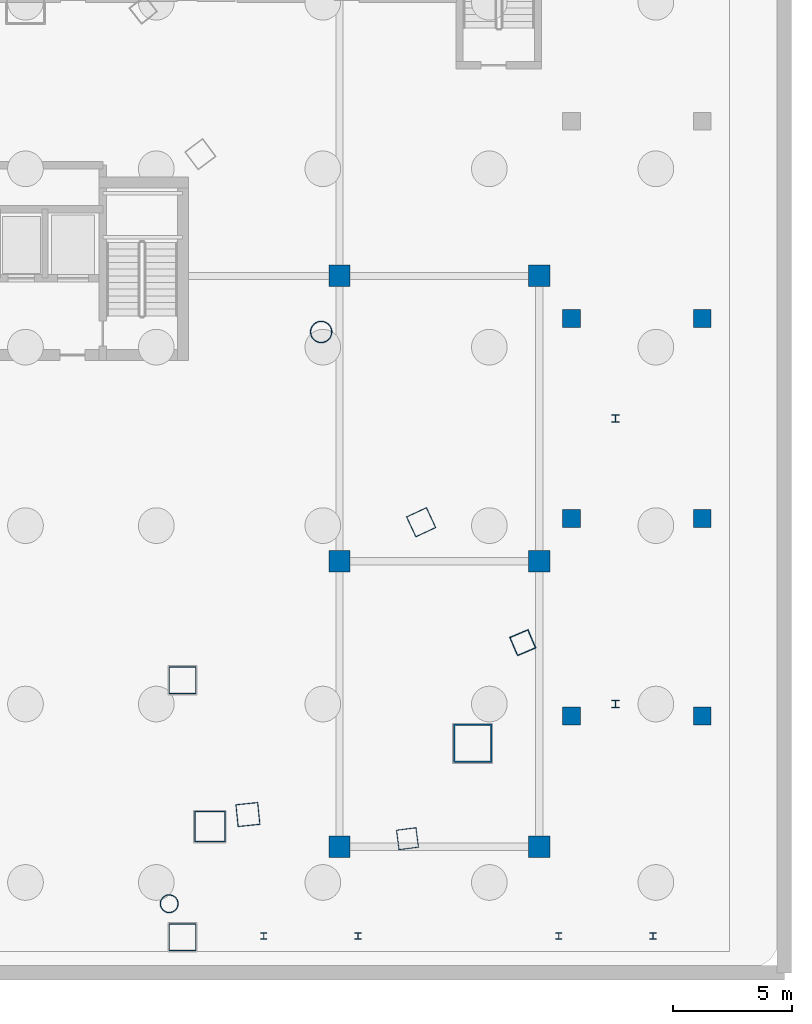
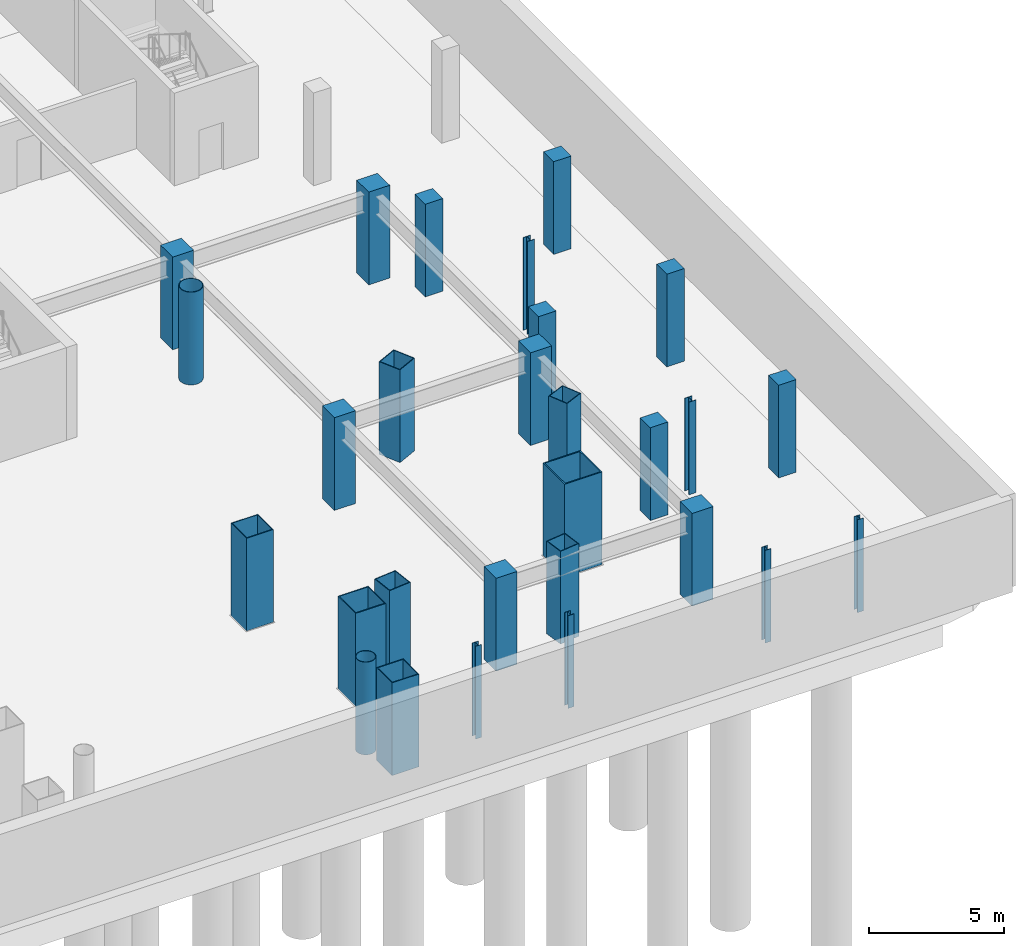
# One storey, part 3 of 12: 28 columns.
"""IFC4 building model written with IfcOpenShell, lengths in metres."""

from ifc_helpers import new_model, si_unit, direction, frame, origin, origin_2d, place, context, subcontext, project, spatial, rectangle, hollow_rectangle, hollow_circle, i_section, extrude, material, material_profile, profile_set, type_object, element, save


model = new_model("IFC4")

# Units and contexts
model_context = context("Model", 3, precision=1e-05, world=origin(), true_north=direction((0.0, 1.0)))
body_context = subcontext(model_context, "Body", "Model", "MODEL_VIEW")
ifc_project = project(units=[si_unit("LENGTHUNIT", "METRE"), si_unit("AREAUNIT", "SQUARE_METRE"), si_unit("VOLUMEUNIT", "CUBIC_METRE"), si_unit("PLANEANGLEUNIT", "RADIAN"), si_unit("MASSUNIT", "GRAM", prefix="KILO")], contexts=[model_context])

# Site, building, storey
site_placement = place(None, origin())
site = spatial("IfcSite", under=ifc_project, at=site_placement, CompositionType="ELEMENT")
building_placement = place(site_placement, origin())
building = spatial("IfcBuilding", under=site, at=building_placement, Name="Orvanel Arch Residences", CompositionType="ELEMENT")
storey_placement = place(building_placement, frame((0.0, 0.0, -8.39990234375)))
storey = spatial("IfcBuildingStorey", under=building, at=storey_placement, Name="B02", CompositionType="ELEMENT", Elevation=-8.39990234375)

# Columns
ifc_material_1 = material(Name="Structural steel AS/NZS 1163 C450L0 (Grade 450)", Category="steel")
ifc_material_profile_1 = material_profile(ifc_material_1, hollow_circle(Radius=0.381103515625, WallThickness=0.02197265625, at=origin_2d()), Name="CHS762x22")
ifc_profile_set_1 = profile_set([ifc_material_profile_1], Name="Structural steel AS/NZS 1163 C450L0 (Grade 450)")
column_type_1 = type_object("IfcColumnType", Name="CC-762", PredefinedType="COLUMN", material=ifc_profile_set_1)
column_1_placement = place(storey_placement, frame((39.0419921875, 3.60498046875, 0.0), z_axis=(0.0, 0.0, 1.0), x_axis=(1.0, 0.0, 0.0)))
element("IfcColumn", 1, at=column_1_placement, inside=storey, type_object=column_type_1, Name="B02 Low-Rise Buttress Tube Column 04", PredefinedType="COLUMN", context=body_context, shape_type="SweptSolid", body=[
    extrude(hollow_circle(Radius=0.381103515625, WallThickness=0.02197265625, at=origin_2d()), origin(), (0.0, 0.0, 1.0), 4.199951171875),
])
ifc_material_profile_2 = material_profile(ifc_material_1, hollow_circle(Radius=0.45703125, WallThickness=0.02490234375, at=origin_2d()), Name="CHS914x25")
ifc_profile_set_2 = profile_set([ifc_material_profile_2], Name="Structural steel AS/NZS 1163 C450L0 (Grade 450)")
column_type_2 = type_object("IfcColumnType", Name="CC-914", PredefinedType="COLUMN", material=ifc_profile_set_2)
column_2_placement = place(storey_placement, frame((45.430908203125, 27.64111328125, 0.0), z_axis=(0.0, 0.0, 1.0), x_axis=(1.0, 0.0, 0.0)))
element("IfcColumn", 2, at=column_2_placement, inside=storey, type_object=column_type_2, Name="B02 High-Rise Tube Column 08", PredefinedType="COLUMN", context=body_context, shape_type="SweptSolid", body=[
    extrude(hollow_circle(Radius=0.45703125, WallThickness=0.02490234375, at=origin_2d()), origin(), (0.0, 0.0, 1.0), 4.199951171875),
])
ifc_material_2 = material(Name="Structural steel AS/NZS 3678 Grade 450", Category="steel")
ifc_material_profile_3 = material_profile(ifc_material_2, hollow_rectangle(XDim=1.14990234375, YDim=1.14990234375, WallThickness=0.035888671875, at=origin_2d()), Name="BOX1150x1150x36")
ifc_profile_set_3 = profile_set([ifc_material_profile_3], Name="Structural steel AS/NZS 3678 Grade 450")
column_type_3 = type_object("IfcColumnType", Name="MC-1150", PredefinedType="COLUMN", material=ifc_profile_set_3)
for number, where, z_axis, x_axis, name in (
    (3, (39.60009765625, 2.199951171875, 0.0), (0.0, 0.0, 1.0), (1.0, 0.0, 0.0), "B02 Arch Portal Pier SOUTH E"),
    (4, (39.60009765625, 13.0, 0.0), (0.0, 0.0, 1.0), (1.0, 0.0, 0.0), "B02 Arch Portal Pier MID E"),
):
    element("IfcColumn", number, at=place(storey_placement, frame(where, z_axis=z_axis, x_axis=x_axis)), inside=storey, type_object=column_type_3, Name=name, PredefinedType="COLUMN", context=body_context, shape_type="SweptSolid", body=[
        extrude(hollow_rectangle(XDim=1.14990234375, YDim=1.14990234375, WallThickness=0.035888671875, at=origin_2d()), origin(), (0.0, 0.0, 1.0), 4.199951171875),
    ])
ifc_material_profile_4 = material_profile(ifc_material_2, hollow_rectangle(XDim=1.300048828125, YDim=1.300048828125, WallThickness=0.0400390625, at=origin_2d()), Name="BOX1300x1300x40")
ifc_profile_set_4 = profile_set([ifc_material_profile_4], Name="Structural steel AS/NZS 3678 Grade 450")
column_type_4 = type_object("IfcColumnType", Name="MC-1300", PredefinedType="COLUMN", material=ifc_profile_set_4)
column_3_placement = place(storey_placement, frame((40.75, 6.843994140625, 0.0), z_axis=(0.0, 0.0, 1.0), x_axis=(1.0, 0.0, 0.0)))
element("IfcColumn", 5, at=column_3_placement, inside=storey, type_object=column_type_4, Name="B02 Arch Transfer Pier E", PredefinedType="COLUMN", context=body_context, shape_type="SweptSolid", body=[
    extrude(hollow_rectangle(XDim=1.300048828125, YDim=1.300048828125, WallThickness=0.0400390625, at=origin_2d()), origin(), (0.0, 0.0, 1.0), 4.199951171875),
])
ifc_material_profile_5 = material_profile(ifc_material_2, hollow_rectangle(XDim=1.60009765625, YDim=1.60009765625, WallThickness=0.050048828125, at=origin_2d()), Name="BOX1600x1600x50")
ifc_profile_set_5 = profile_set([ifc_material_profile_5], Name="Structural steel AS/NZS 3678 Grade 450")
column_type_5 = type_object("IfcColumnType", Name="MC-1600", PredefinedType="COLUMN", material=ifc_profile_set_5)
column_4_placement = place(storey_placement, frame((51.801025390625, 10.35107421875, 0.0), z_axis=(0.0, 0.0, 1.0), x_axis=(1.0, 0.0, 0.0)))
element("IfcColumn", 6, at=column_4_placement, inside=storey, type_object=column_type_5, Name="B02 Corner Composite Mega-Column 3", PredefinedType="COLUMN", context=body_context, shape_type="SweptSolid", body=[
    extrude(hollow_rectangle(XDim=1.60009765625, YDim=1.60009765625, WallThickness=0.050048828125, at=origin_2d()), origin(), (0.0, 0.0, 1.0), 4.199951171875),
])
ifc_material_3 = material(Name="Concrete S65 (65 MPa)", Category="concrete")
ifc_material_profile_6 = material_profile(ifc_material_3, rectangle(XDim=0.75, YDim=0.75, at=origin_2d()), Name="RC750x750")
ifc_profile_set_6 = profile_set([ifc_material_profile_6], Name="Concrete S65 (65 MPa)")
column_type_6 = type_object("IfcColumnType", Name="PC-750", PredefinedType="COLUMN", material=ifc_profile_set_6)
for number, where, z_axis, x_axis, name in (
    (7, (55.949951171875, 11.5, 0.0), (0.0, 0.0, 1.0), (1.0, 0.0, 0.0), "B02 East Ramp Support Column"),
    (8, (61.449951171875, 11.5, 0.0), (0.0, 0.0, 1.0), (1.0, 0.0, 0.0), "B02 East Ramp Support Column"),
    (9, (55.949951171875, 19.800048828125, 0.0), (0.0, 0.0, 1.0), (1.0, 0.0, 0.0), "B02 East Ramp Support Column"),
    (10, (61.449951171875, 19.800048828125, 0.0), (0.0, 0.0, 1.0), (1.0, 0.0, 0.0), "B02 East Ramp Support Column"),
    (11, (55.949951171875, 28.199951171875, 0.0), (0.0, 0.0, 1.0), (1.0, 0.0, 0.0), "B02 East Ramp Support Column"),
    (12, (61.449951171875, 28.199951171875, 0.0), (0.0, 0.0, 1.0), (1.0, 0.0, 0.0), "B02 East Ramp Support Column"),
):
    element("IfcColumn", number, at=place(storey_placement, frame(where, z_axis=z_axis, x_axis=x_axis)), inside=storey, type_object=column_type_6, Name=name, PredefinedType="COLUMN", context=body_context, shape_type="SweptSolid", body=[
        extrude(rectangle(XDim=0.75, YDim=0.75, at=origin_2d()), origin(), (0.0, 0.0, 1.0), 4.199951171875),
    ])
ifc_material_profile_7 = material_profile(ifc_material_3, rectangle(XDim=0.89990234375, YDim=0.89990234375, at=origin_2d()), Name="RC900x900")
ifc_profile_set_7 = profile_set([ifc_material_profile_7], Name="Concrete S65 (65 MPa)")
column_type_7 = type_object("IfcColumnType", Name="PC-900", PredefinedType="COLUMN", material=ifc_profile_set_7)
for number, where, z_axis, x_axis, name in (
    (13, (46.199951171875, 6.0, 0.0), (0.0, 0.0, 1.0), (1.0, 0.0, 0.0), "B02 Podium Grid Column 08"),
    (14, (46.199951171875, 18.0, 0.0), (0.0, 0.0, 1.0), (1.0, 0.0, 0.0), "B02 Podium Grid Column 09"),
    (15, (46.199951171875, 30.0, 0.0), (0.0, 0.0, 1.0), (1.0, 0.0, 0.0), "B02 Podium Grid Column 10"),
    (16, (54.60009765625, 6.0, 0.0), (0.0, 0.0, 1.0), (1.0, 0.0, 0.0), "B02 Podium Grid Column 12"),
    (17, (54.60009765625, 18.0, 0.0), (0.0, 0.0, 1.0), (1.0, 0.0, 0.0), "B02 Podium Grid Column 13"),
    (18, (54.60009765625, 30.0, 0.0), (0.0, 0.0, 1.0), (1.0, 0.0, 0.0), "B02 Podium Grid Column 14"),
):
    element("IfcColumn", number, at=place(storey_placement, frame(where, z_axis=z_axis, x_axis=x_axis)), inside=storey, type_object=column_type_7, Name=name, PredefinedType="COLUMN", context=body_context, shape_type="SweptSolid", body=[
        extrude(rectangle(XDim=0.89990234375, YDim=0.89990234375, at=origin_2d()), origin(), (0.0, 0.0, 1.0), 4.199951171875),
    ])
ifc_material_4 = material(Name="Structural steel AS/NZS 3679.1 Grade 300 (300 MPa)", Category="steel")
ifc_material_profile_8 = material_profile(ifc_material_4, i_section(OverallWidth=0.256103515625, OverallDepth=0.260009765625, WebThickness=0.010498046875, FlangeThickness=0.017333984375, at=origin_2d()), Name="250UC89.5")
ifc_profile_set_8 = profile_set([ifc_material_profile_8], Name="Structural steel AS/NZS 3679.1 Grade 300 (300 MPa)")
column_type_8 = type_object("IfcColumnType", Name="SC-250UC", PredefinedType="COLUMN", material=ifc_profile_set_8)
for number, where, z_axis, x_axis, name in (
    (19, (43.02001953125, 2.25, 0.0), (0.0, 0.0, 1.0), (1.0, 0.0, 0.0), "B02 Canopy Rear Support Column 03.1"),
    (20, (46.97998046875, 2.25, 0.0), (0.0, 0.0, 1.0), (1.0, 0.0, 0.0), "B02 Canopy Rear Support Column 03.2"),
    (21, (55.419921875, 2.25, 0.0), (0.0, 0.0, 1.0), (1.0, 0.0, 0.0), "B02 Canopy Rear Support Column 04.1"),
    (22, (59.3798828125, 2.25, 0.0), (0.0, 0.0, 1.0), (1.0, 0.0, 0.0), "B02 Canopy Rear Support Column 04.2"),
):
    element("IfcColumn", number, at=place(storey_placement, frame(where, z_axis=z_axis, x_axis=x_axis)), inside=storey, type_object=column_type_8, Name=name, PredefinedType="COLUMN", context=body_context, shape_type="SweptSolid", body=[
        extrude(i_section(OverallWidth=0.256103515625, OverallDepth=0.260009765625, WebThickness=0.010498046875, FlangeThickness=0.017333984375, at=origin_2d()), origin(), (0.0, 0.0, 1.0), 4.199951171875),
    ])
ifc_material_profile_9 = material_profile(ifc_material_4, i_section(OverallWidth=0.306884765625, OverallDepth=0.31494140625, WebThickness=0.011962890625, FlangeThickness=0.018798828125, at=origin_2d()), Name="310UC118")
ifc_profile_set_9 = profile_set([ifc_material_profile_9], Name="Structural steel AS/NZS 3679.1 Grade 300 (300 MPa)")
column_type_9 = type_object("IfcColumnType", Name="SC-310UC118", PredefinedType="COLUMN", material=ifc_profile_set_9)
for number, where, z_axis, x_axis, name in (
    (23, (57.800048828125, 12.0, 0.0), (0.0, 0.0, 1.0), (1.0, 0.0, 0.0), "B02 Auxiliary Podium Column 03"),
    (24, (57.800048828125, 24.0, 0.0), (0.0, 0.0, 1.0), (1.0, 0.0, 0.0), "B02 Auxiliary Podium Column 04"),
):
    element("IfcColumn", number, at=place(storey_placement, frame(where, z_axis=z_axis, x_axis=x_axis)), inside=storey, type_object=column_type_9, Name=name, PredefinedType="COLUMN", context=body_context, shape_type="SweptSolid", body=[
        extrude(i_section(OverallWidth=0.306884765625, OverallDepth=0.31494140625, WebThickness=0.011962890625, FlangeThickness=0.018798828125, at=origin_2d()), origin(), (0.0, 0.0, 1.0), 4.199951171875),
    ])
ifc_material_5 = material(Name="Structural steel AS/NZS 3678 Grade 350", Category="steel")
ifc_material_profile_10 = material_profile(ifc_material_5, hollow_rectangle(XDim=0.85009765625, YDim=0.85009765625, WallThickness=0.028076171875, at=origin_2d()), Name="BOX850x850x28")
ifc_profile_set_10 = profile_set([ifc_material_profile_10], Name="Structural steel AS/NZS 3678 Grade 350")
column_type_10 = type_object("IfcColumnType", Name="TC-850", PredefinedType="COLUMN", material=ifc_profile_set_10)
for number, where, z_axis, x_axis, name in (
    (25, (49.05908203125, 6.339111328125, 0.0), (0.0, 0.0, 1.0), (0.99189444259, 0.127064608601, 0.0), "B02 Mid-Rise Buttress Tube Column 04"),
    (26, (53.905029296875, 14.580078125, 0.0), (0.0, 0.0, 1.0), (-0.397147890635, 0.917754625684, 0.0), "B02 Mid-Rise Buttress Tube Column 05"),
):
    element("IfcColumn", number, at=place(storey_placement, frame(where, z_axis=z_axis, x_axis=x_axis)), inside=storey, type_object=column_type_10, Name=name, PredefinedType="COLUMN", context=body_context, shape_type="SweptSolid", body=[
        extrude(hollow_rectangle(XDim=0.85009765625, YDim=0.85009765625, WallThickness=0.028076171875, at=origin_2d()), origin(), (0.0, 0.0, 1.0), 4.199951171875),
    ])
ifc_material_profile_11 = material_profile(ifc_material_5, hollow_rectangle(XDim=0.949951171875, YDim=0.949951171875, WallThickness=0.031982421875, at=origin_2d()), Name="BOX950x950x32")
ifc_profile_set_11 = profile_set([ifc_material_profile_11], Name="Structural steel AS/NZS 3678 Grade 350")
column_type_11 = type_object("IfcColumnType", Name="TC-950", PredefinedType="COLUMN", material=ifc_profile_set_11)
for number, where, z_axis, x_axis, name in (
    (27, (42.35107421875, 7.35498046875, 0.0), (0.0, 0.0, 1.0), (0.994880708829, 0.101056297183, 0.0), "B02 High-Rise Tube Column 06"),
    (28, (49.633056640625, 19.64208984375, 0.0), (0.0, 0.0, 1.0), (-0.422618261741, 0.906307787037, 0.0), "B02 High-Rise Tube Column 07"),
):
    element("IfcColumn", number, at=place(storey_placement, frame(where, z_axis=z_axis, x_axis=x_axis)), inside=storey, type_object=column_type_11, Name=name, PredefinedType="COLUMN", context=body_context, shape_type="SweptSolid", body=[
        extrude(hollow_rectangle(XDim=0.949951171875, YDim=0.949951171875, WallThickness=0.031982421875, at=origin_2d()), origin(), (0.0, 0.0, 1.0), 4.199951171875),
    ])

save(model, "model.ifc")
